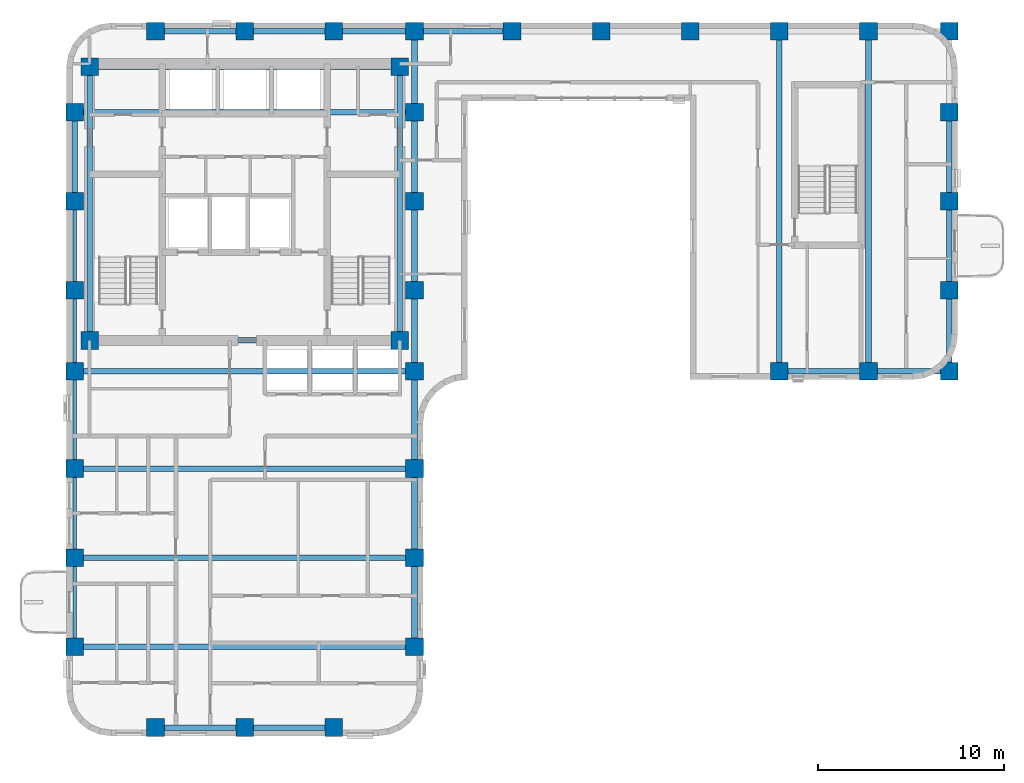
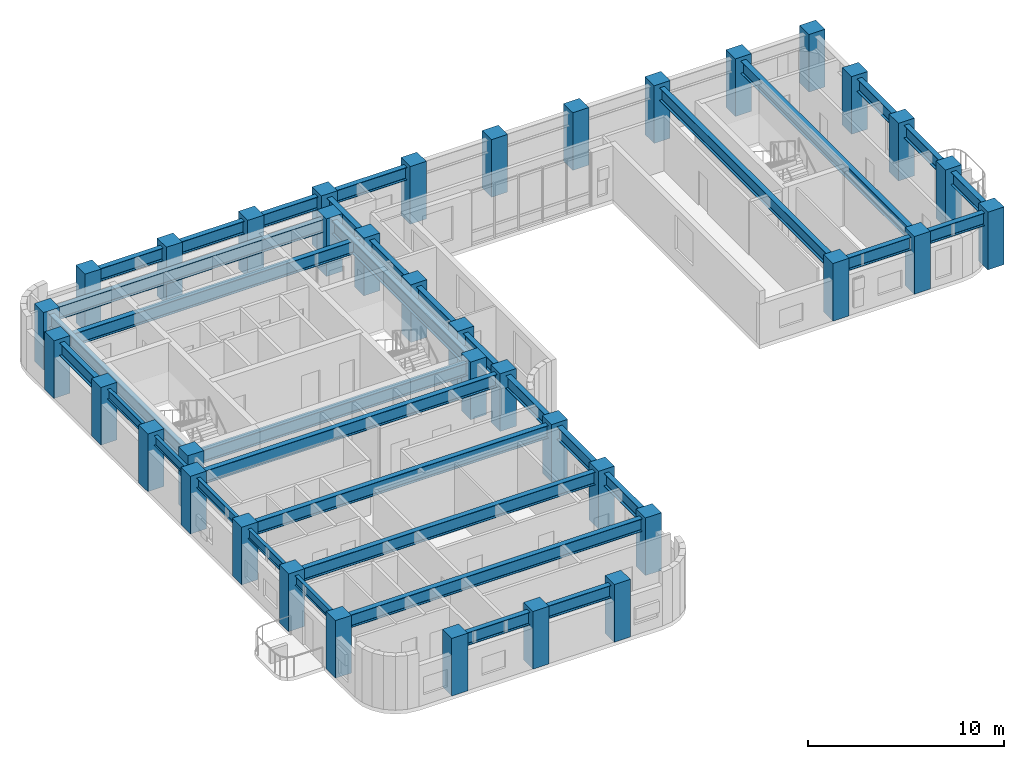
# One storey, part 1 of 11: 37 columns, 35 beams.
"""IFC4 building model written with IfcOpenShell, lengths in metres."""

from ifc_helpers import new_model, si_unit, direction, frame, origin, origin_2d, place, context, subcontext, project, spatial, rectangle, i_section, extrude, material, material_profile, profile_set, type_object, element, save


model = new_model("IFC4")

# Units and contexts
model_context = context("Model", 3, precision=1e-05, world=origin(), true_north=direction((0.0, 1.0)))
body_context = subcontext(model_context, "Body", "Model", "MODEL_VIEW")
ifc_project = project(units=[si_unit("LENGTHUNIT", "METRE"), si_unit("AREAUNIT", "SQUARE_METRE"), si_unit("VOLUMEUNIT", "CUBIC_METRE"), si_unit("PLANEANGLEUNIT", "RADIAN"), si_unit("MASSUNIT", "GRAM", prefix="KILO")], contexts=[model_context])

# Site, building, storey
site_placement = place(None, origin())
site = spatial("IfcSite", under=ifc_project, at=site_placement, CompositionType="ELEMENT")
building_placement = place(site_placement, origin())
building = spatial("IfcBuilding", under=site, at=building_placement, Name="Orvandelia Arch Residences", CompositionType="ELEMENT")
storey_placement = place(building_placement, frame((0.0, 0.0, 175.60009765625)))
storey = spatial("IfcBuildingStorey", under=building, at=storey_placement, Name="L46", CompositionType="ELEMENT", Elevation=175.60009765625)

# Columns
ifc_material_1 = material(Name="Concrete C60/75", Category="concrete")
ifc_material_profile_1 = material_profile(ifc_material_1, rectangle(XDim=0.949951171875, YDim=0.949951171875, at=origin_2d()), Name="Concrete C60/75", Category="concrete")
ifc_profile_set_1 = profile_set([ifc_material_profile_1], Name="Concrete C60/75")
column_type = type_object("IfcColumnType", Name="COL-TWR-950", PredefinedType="COLUMN", material=ifc_profile_set_1)
for number, where, z_axis, x_axis, name in (
    (1, (5.25, 14.39990234375, 0.0), (0.0, 0.0, 1.0), (1.0, 0.0, 0.0), "Structural Column L46-W-W-144"),
    (2, (5.25, 19.199951171875, 0.0), (0.0, 0.0, 1.0), (1.0, 0.0, 0.0), "Structural Column L46-W-W-192"),
    (3, (5.25, 24.0, 0.0), (0.0, 0.0, 1.0), (1.0, 0.0, 0.0), "Structural Column L46-W-W-240"),
    (4, (5.25, 29.25, 0.0), (0.0, 0.0, 1.0), (1.0, 0.0, 0.0), "Structural Column L46-W-W-292"),
    (5, (5.25, 33.60009765625, 0.0), (0.0, 0.0, 1.0), (1.0, 0.0, 0.0), "Structural Column L46-W-W-336"),
    (6, (5.25, 38.39990234375, 0.0), (0.0, 0.0, 1.0), (1.0, 0.0, 0.0), "Structural Column L46-W-W-384"),
    (7, (5.25, 43.199951171875, 0.0), (0.0, 0.0, 1.0), (1.0, 0.0, 0.0), "Structural Column L46-W-W-432"),
    (8, (6.050048828125, 30.89990234375, 0.0), (0.0, 0.0, 1.0), (1.0, 0.0, 0.0), "Structural Column L46-CR-SW"),
    (9, (6.050048828125, 45.64990234375, 0.0), (0.0, 0.0, 1.0), (1.0, 0.0, 0.0), "Structural Column L46-CR-NW"),
    (10, (9.60009765625, 10.050048828125, 0.0), (0.0, 0.0, 1.0), (1.0, 0.0, 0.0), "Structural Column L46-W-S-96"),
    (11, (9.60009765625, 47.550048828125, 0.0), (0.0, 0.0, 1.0), (1.0, 0.0, 0.0), "Structural Column L46-W-N-96"),
    (12, (14.39990234375, 10.050048828125, 0.0), (0.0, 0.0, 1.0), (1.0, 0.0, 0.0), "Structural Column L46-W-S-144"),
    (13, (14.39990234375, 47.550048828125, 0.0), (0.0, 0.0, 1.0), (1.0, 0.0, 0.0), "Structural Column L46-W-N-144"),
    (14, (19.199951171875, 10.050048828125, 0.0), (0.0, 0.0, 1.0), (1.0, 0.0, 0.0), "Structural Column L46-W-S-192"),
    (15, (19.199951171875, 47.550048828125, 0.0), (0.0, 0.0, 1.0), (1.0, 0.0, 0.0), "Structural Column L46-W-N-192"),
    (16, (22.75, 30.89990234375, 0.0), (0.0, 0.0, 1.0), (1.0, 0.0, 0.0), "Structural Column L46-CR-SE"),
    (17, (22.75, 45.64990234375, 0.0), (0.0, 0.0, 1.0), (1.0, 0.0, 0.0), "Structural Column L46-CR-NE"),
    (18, (23.550048828125, 14.39990234375, 0.0), (0.0, 0.0, 1.0), (1.0, 0.0, 0.0), "Structural Column L46-W-E-144"),
    (19, (23.550048828125, 19.199951171875, 0.0), (0.0, 0.0, 1.0), (1.0, 0.0, 0.0), "Structural Column L46-W-E-192"),
    (20, (23.550048828125, 24.0, 0.0), (0.0, 0.0, 1.0), (1.0, 0.0, 0.0), "Structural Column L46-W-E-240"),
    (21, (23.550048828125, 29.25, 0.0), (0.0, 0.0, 1.0), (1.0, 0.0, 0.0), "Structural Column L46-W-E-292"),
    (22, (23.550048828125, 33.60009765625, 0.0), (0.0, 0.0, 1.0), (1.0, 0.0, 0.0), "Structural Column L46-W-E-336"),
    (23, (23.550048828125, 38.39990234375, 0.0), (0.0, 0.0, 1.0), (1.0, 0.0, 0.0), "Structural Column L46-W-E-384"),
    (24, (23.550048828125, 43.199951171875, 0.0), (0.0, 0.0, 1.0), (1.0, 0.0, 0.0), "Structural Column L46-W-E-432"),
    (25, (23.550048828125, 47.550048828125, 0.0), (0.0, 0.0, 1.0), (1.0, 0.0, 0.0), "Structural Column L46-W-N-235"),
    (26, (28.800048828125, 47.550048828125, 0.0), (0.0, 0.0, 1.0), (1.0, 0.0, 0.0), "Structural Column L46-E-N-288"),
    (27, (33.60009765625, 47.550048828125, 0.0), (0.0, 0.0, 1.0), (1.0, 0.0, 0.0), "Structural Column L46-E-N-336"),
    (28, (38.39990234375, 47.550048828125, 0.0), (0.0, 0.0, 1.0), (1.0, 0.0, 0.0), "Structural Column L46-E-N-384"),
    (29, (43.199951171875, 29.25, 0.0), (0.0, 0.0, 1.0), (1.0, 0.0, 0.0), "Structural Column L46-E-S-432"),
    (30, (43.199951171875, 47.550048828125, 0.0), (0.0, 0.0, 1.0), (1.0, 0.0, 0.0), "Structural Column L46-E-N-432"),
    (31, (48.0, 29.25, 0.0), (0.0, 0.0, 1.0), (1.0, 0.0, 0.0), "Structural Column L46-E-S-480"),
    (32, (48.0, 47.550048828125, 0.0), (0.0, 0.0, 1.0), (1.0, 0.0, 0.0), "Structural Column L46-E-N-480"),
    (33, (52.35009765625, 29.25, 0.0), (0.0, 0.0, 1.0), (1.0, 0.0, 0.0), "Structural Column L46-E-S-523"),
    (34, (52.35009765625, 33.60009765625, 0.0), (0.0, 0.0, 1.0), (1.0, 0.0, 0.0), "Structural Column L46-E-523-336"),
    (35, (52.35009765625, 38.39990234375, 0.0), (0.0, 0.0, 1.0), (1.0, 0.0, 0.0), "Structural Column L46-E-523-384"),
    (36, (52.35009765625, 43.199951171875, 0.0), (0.0, 0.0, 1.0), (1.0, 0.0, 0.0), "Structural Column L46-E-523-432"),
    (37, (52.35009765625, 47.550048828125, 0.0), (0.0, 0.0, 1.0), (1.0, 0.0, 0.0), "Structural Column L46-E-N-523"),
):
    element("IfcColumn", number, at=place(storey_placement, frame(where, z_axis=z_axis, x_axis=x_axis)), inside=storey, type_object=column_type, Name=name, PredefinedType="COLUMN", context=body_context, shape_type="SweptSolid", body=[
        extrude(rectangle(XDim=0.949951171875, YDim=0.949951171875, at=origin_2d()), origin(), (0.0, 0.0, 1.0), 3.599853515625),
    ])

# Beams
ifc_material_2 = material(Name="Structural Steel SM355 (355 MPa)", Category="steel")
ifc_material_profile_2 = material_profile(ifc_material_2, i_section(OverallWidth=0.300048828125, OverallDepth=0.800048828125, WebThickness=0.013916015625, FlangeThickness=0.02587890625, FilletRadius=0.02587890625, at=origin_2d()), Name="Structural Steel SM355 (355 MPa)", Category="steel")
ifc_profile_set_2 = profile_set([ifc_material_profile_2], Name="Structural Steel SM355 (355 MPa)")
beam_type_1 = type_object("IfcBeamType", Name="BM-GRD-H800", PredefinedType="BEAM", material=ifc_profile_set_2)
beam_1_placement = place(storey_placement, frame((5.25, 38.39990234375, 2.9599609375), z_axis=(0.0, 1.0, 0.0), x_axis=(-1.0, 0.0, 0.0)))
element("IfcBeam", 38, at=beam_1_placement, inside=storey, type_object=beam_type_1, Name="Structural Frame Beam L46-NS-006", PredefinedType="BEAM", context=body_context, shape_type="SweptSolid", body=[
    extrude(i_section(OverallWidth=0.300048828125, OverallDepth=0.800048828125, WebThickness=0.013916015625, FlangeThickness=0.02587890625, FilletRadius=0.02587890625, at=origin_2d()), origin(), (0.0, 0.0, 1.0), 4.800048828125),
])
for number, where, z_axis, x_axis, name in (
    (39, (6.050048828125, 30.89990234375, 2.9599609375), (0.0, 1.0, 0.0), (-1.0, 0.0, 0.0), "Structural Frame Beam L46-NS-007"),
    (40, (22.75, 30.89990234375, 2.9599609375), (0.0, 1.0, 0.0), (-1.0, 0.0, 0.0), "Structural Frame Beam L46-NS-008"),
):
    element("IfcBeam", number, at=place(storey_placement, frame(where, z_axis=z_axis, x_axis=x_axis)), inside=storey, type_object=beam_type_1, Name=name, PredefinedType="BEAM", context=body_context, shape_type="SweptSolid", body=[
        extrude(i_section(OverallWidth=0.300048828125, OverallDepth=0.800048828125, WebThickness=0.013916015625, FlangeThickness=0.02587890625, FilletRadius=0.02587890625, at=origin_2d()), origin(), (0.0, 0.0, 1.0), 14.75),
    ])
for number, where, z_axis, x_axis, name in (
    (41, (23.550048828125, 14.39990234375, 2.9599609375), (0.0, 1.0, 0.0), (-1.0, 0.0, 0.0), "Structural Frame Beam L46-NS-009"),
    (42, (23.550048828125, 19.199951171875, 2.9599609375), (0.0, 1.0, 0.0), (-1.0, 0.0, 0.0), "Structural Frame Beam L46-NS-010"),
):
    element("IfcBeam", number, at=place(storey_placement, frame(where, z_axis=z_axis, x_axis=x_axis)), inside=storey, type_object=beam_type_1, Name=name, PredefinedType="BEAM", context=body_context, shape_type="SweptSolid", body=[
        extrude(i_section(OverallWidth=0.300048828125, OverallDepth=0.800048828125, WebThickness=0.013916015625, FlangeThickness=0.02587890625, FilletRadius=0.02587890625, at=origin_2d()), origin(), (0.0, 0.0, 1.0), 4.800048828125),
    ])
beam_2_placement = place(storey_placement, frame((23.550048828125, 24.0, 2.9599609375), z_axis=(0.0, 1.0, 0.0), x_axis=(-1.0, 0.0, 0.0)))
element("IfcBeam", 43, at=beam_2_placement, inside=storey, type_object=beam_type_1, Name="Structural Frame Beam L46-NS-011", PredefinedType="BEAM", context=body_context, shape_type="SweptSolid", body=[
    extrude(i_section(OverallWidth=0.300048828125, OverallDepth=0.800048828125, WebThickness=0.013916015625, FlangeThickness=0.02587890625, FilletRadius=0.02587890625, at=origin_2d()), origin(), (0.0, 0.0, 1.0), 5.25),
])
beam_3_placement = place(storey_placement, frame((23.550048828125, 29.25, 2.9599609375), z_axis=(0.0, 1.0, 0.0), x_axis=(-1.0, 0.0, 0.0)))
element("IfcBeam", 44, at=beam_3_placement, inside=storey, type_object=beam_type_1, Name="Structural Frame Beam L46-NS-012", PredefinedType="BEAM", context=body_context, shape_type="SweptSolid", body=[
    extrude(i_section(OverallWidth=0.300048828125, OverallDepth=0.800048828125, WebThickness=0.013916015625, FlangeThickness=0.02587890625, FilletRadius=0.02587890625, at=origin_2d()), origin(), (0.0, 0.0, 1.0), 4.35009765625),
])
beam_4_placement = place(storey_placement, frame((23.550048828125, 33.60009765625, 2.9599609375), z_axis=(0.0, 1.0, 0.0), x_axis=(-1.0, 0.0, 0.0)))
element("IfcBeam", 45, at=beam_4_placement, inside=storey, type_object=beam_type_1, Name="Structural Frame Beam L46-NS-013", PredefinedType="BEAM", context=body_context, shape_type="SweptSolid", body=[
    extrude(i_section(OverallWidth=0.300048828125, OverallDepth=0.800048828125, WebThickness=0.013916015625, FlangeThickness=0.02587890625, FilletRadius=0.02587890625, at=origin_2d()), origin(), (0.0, 0.0, 1.0), 4.7998046875),
])
beam_5_placement = place(storey_placement, frame((23.550048828125, 38.39990234375, 2.9599609375), z_axis=(0.0, 1.0, 0.0), x_axis=(-1.0, 0.0, 0.0)))
element("IfcBeam", 46, at=beam_5_placement, inside=storey, type_object=beam_type_1, Name="Structural Frame Beam L46-NS-014", PredefinedType="BEAM", context=body_context, shape_type="SweptSolid", body=[
    extrude(i_section(OverallWidth=0.300048828125, OverallDepth=0.800048828125, WebThickness=0.013916015625, FlangeThickness=0.02587890625, FilletRadius=0.02587890625, at=origin_2d()), origin(), (0.0, 0.0, 1.0), 4.800048828125),
])
beam_6_placement = place(storey_placement, frame((23.550048828125, 43.199951171875, 2.9599609375), z_axis=(0.0, 1.0, 0.0), x_axis=(-1.0, 0.0, 0.0)))
element("IfcBeam", 47, at=beam_6_placement, inside=storey, type_object=beam_type_1, Name="Structural Frame Beam L46-NS-015", PredefinedType="BEAM", context=body_context, shape_type="SweptSolid", body=[
    extrude(i_section(OverallWidth=0.300048828125, OverallDepth=0.800048828125, WebThickness=0.013916015625, FlangeThickness=0.02587890625, FilletRadius=0.02587890625, at=origin_2d()), origin(), (0.0, 0.0, 1.0), 4.35009765625),
])
for number, where, z_axis, x_axis, name in (
    (48, (43.199951171875, 29.25, 2.9599609375), (0.0, 1.0, 0.0), (-1.0, 0.0, 0.0), "Structural Frame Beam L46-NS-016"),
    (49, (48.0, 29.25, 2.9599609375), (0.0, 1.0, 0.0), (-1.0, 0.0, 0.0), "Structural Frame Beam L46-NS-017"),
):
    element("IfcBeam", number, at=place(storey_placement, frame(where, z_axis=z_axis, x_axis=x_axis)), inside=storey, type_object=beam_type_1, Name=name, PredefinedType="BEAM", context=body_context, shape_type="SweptSolid", body=[
        extrude(i_section(OverallWidth=0.300048828125, OverallDepth=0.800048828125, WebThickness=0.013916015625, FlangeThickness=0.02587890625, FilletRadius=0.02587890625, at=origin_2d()), origin(), (0.0, 0.0, 1.0), 18.300048828125),
    ])
beam_7_placement = place(storey_placement, frame((52.35009765625, 29.25, 2.9599609375), z_axis=(0.0, 1.0, 0.0), x_axis=(-1.0, 0.0, 0.0)))
element("IfcBeam", 50, at=beam_7_placement, inside=storey, type_object=beam_type_1, Name="Structural Frame Beam L46-NS-018", PredefinedType="BEAM", context=body_context, shape_type="SweptSolid", body=[
    extrude(i_section(OverallWidth=0.300048828125, OverallDepth=0.800048828125, WebThickness=0.013916015625, FlangeThickness=0.02587890625, FilletRadius=0.02587890625, at=origin_2d()), origin(), (0.0, 0.0, 1.0), 4.35009765625),
])
beam_8_placement = place(storey_placement, frame((52.35009765625, 33.60009765625, 2.9599609375), z_axis=(0.0, 1.0, 0.0), x_axis=(-1.0, 0.0, 0.0)))
element("IfcBeam", 51, at=beam_8_placement, inside=storey, type_object=beam_type_1, Name="Structural Frame Beam L46-NS-019", PredefinedType="BEAM", context=body_context, shape_type="SweptSolid", body=[
    extrude(i_section(OverallWidth=0.300048828125, OverallDepth=0.800048828125, WebThickness=0.013916015625, FlangeThickness=0.02587890625, FilletRadius=0.02587890625, at=origin_2d()), origin(), (0.0, 0.0, 1.0), 4.7998046875),
])
beam_9_placement = place(storey_placement, frame((52.35009765625, 38.39990234375, 2.9599609375), z_axis=(0.0, 1.0, 0.0), x_axis=(-1.0, 0.0, 0.0)))
element("IfcBeam", 52, at=beam_9_placement, inside=storey, type_object=beam_type_1, Name="Structural Frame Beam L46-NS-020", PredefinedType="BEAM", context=body_context, shape_type="SweptSolid", body=[
    extrude(i_section(OverallWidth=0.300048828125, OverallDepth=0.800048828125, WebThickness=0.013916015625, FlangeThickness=0.02587890625, FilletRadius=0.02587890625, at=origin_2d()), origin(), (0.0, 0.0, 1.0), 4.800048828125),
])
beam_10_placement = place(storey_placement, frame((9.60009765625, 10.050048828125, 2.9599609375), z_axis=(1.0, 0.0, 0.0), x_axis=(0.0, 1.0, 0.0)))
element("IfcBeam", 53, at=beam_10_placement, inside=storey, type_object=beam_type_1, Name="Structural Frame Girder L46-EW-022", PredefinedType="BEAM", context=body_context, shape_type="SweptSolid", body=[
    extrude(i_section(OverallWidth=0.300048828125, OverallDepth=0.800048828125, WebThickness=0.013916015625, FlangeThickness=0.02587890625, FilletRadius=0.02587890625, at=origin_2d()), origin(), (0.0, 0.0, 1.0), 4.7998046875),
])
beam_11_placement = place(storey_placement, frame((14.39990234375, 10.050048828125, 2.9599609375), z_axis=(1.0, 0.0, 0.0), x_axis=(0.0, 1.0, 0.0)))
element("IfcBeam", 54, at=beam_11_placement, inside=storey, type_object=beam_type_1, Name="Structural Frame Girder L46-EW-023", PredefinedType="BEAM", context=body_context, shape_type="SweptSolid", body=[
    extrude(i_section(OverallWidth=0.300048828125, OverallDepth=0.800048828125, WebThickness=0.013916015625, FlangeThickness=0.02587890625, FilletRadius=0.02587890625, at=origin_2d()), origin(), (0.0, 0.0, 1.0), 4.800048828125),
])
for number, where, z_axis, x_axis, name in (
    (55, (5.25, 14.39990234375, 2.9599609375), (1.0, 0.0, 0.0), (0.0, 1.0, 0.0), "Structural Frame Girder L46-EW-024"),
    (56, (5.25, 19.199951171875, 2.9599609375), (1.0, 0.0, 0.0), (0.0, 1.0, 0.0), "Structural Frame Girder L46-EW-025"),
    (57, (5.25, 24.0, 2.9599609375), (1.0, 0.0, 0.0), (0.0, 1.0, 0.0), "Structural Frame Girder L46-EW-026"),
    (58, (5.25, 29.25, 2.9599609375), (1.0, 0.0, 0.0), (0.0, 1.0, 0.0), "Structural Frame Girder L46-EW-027"),
):
    element("IfcBeam", number, at=place(storey_placement, frame(where, z_axis=z_axis, x_axis=x_axis)), inside=storey, type_object=beam_type_1, Name=name, PredefinedType="BEAM", context=body_context, shape_type="SweptSolid", body=[
        extrude(i_section(OverallWidth=0.300048828125, OverallDepth=0.800048828125, WebThickness=0.013916015625, FlangeThickness=0.02587890625, FilletRadius=0.02587890625, at=origin_2d()), origin(), (0.0, 0.0, 1.0), 18.300048828125),
    ])
beam_12_placement = place(storey_placement, frame((43.199951171875, 29.25, 2.9599609375), z_axis=(1.0, 0.0, 0.0), x_axis=(0.0, 1.0, 0.0)))
element("IfcBeam", 59, at=beam_12_placement, inside=storey, type_object=beam_type_1, Name="Structural Frame Girder L46-EW-028", PredefinedType="BEAM", context=body_context, shape_type="SweptSolid", body=[
    extrude(i_section(OverallWidth=0.300048828125, OverallDepth=0.800048828125, WebThickness=0.013916015625, FlangeThickness=0.02587890625, FilletRadius=0.02587890625, at=origin_2d()), origin(), (0.0, 0.0, 1.0), 4.800048828125),
])
beam_13_placement = place(storey_placement, frame((48.0, 29.25, 2.9599609375), z_axis=(1.0, 0.0, 0.0), x_axis=(0.0, 1.0, 0.0)))
element("IfcBeam", 60, at=beam_13_placement, inside=storey, type_object=beam_type_1, Name="Structural Frame Girder L46-EW-029", PredefinedType="BEAM", context=body_context, shape_type="SweptSolid", body=[
    extrude(i_section(OverallWidth=0.300048828125, OverallDepth=0.800048828125, WebThickness=0.013916015625, FlangeThickness=0.02587890625, FilletRadius=0.02587890625, at=origin_2d()), origin(), (0.0, 0.0, 1.0), 4.35009765625),
])
beam_14_placement = place(storey_placement, frame((6.050048828125, 30.89990234375, 2.9599609375), z_axis=(1.0, 0.0, 0.0), x_axis=(0.0, 1.0, 0.0)))
element("IfcBeam", 61, at=beam_14_placement, inside=storey, type_object=beam_type_1, Name="Structural Frame Girder L46-EW-030", PredefinedType="BEAM", context=body_context, shape_type="SweptSolid", body=[
    extrude(i_section(OverallWidth=0.300048828125, OverallDepth=0.800048828125, WebThickness=0.013916015625, FlangeThickness=0.02587890625, FilletRadius=0.02587890625, at=origin_2d()), origin(), (0.0, 0.0, 1.0), 16.699951171875),
])
beam_15_placement = place(storey_placement, frame((5.25, 43.199951171875, 2.9599609375), z_axis=(1.0, 0.0, 0.0), x_axis=(0.0, 1.0, 0.0)))
element("IfcBeam", 62, at=beam_15_placement, inside=storey, type_object=beam_type_1, Name="Structural Frame Girder L46-EW-033", PredefinedType="BEAM", context=body_context, shape_type="SweptSolid", body=[
    extrude(i_section(OverallWidth=0.300048828125, OverallDepth=0.800048828125, WebThickness=0.013916015625, FlangeThickness=0.02587890625, FilletRadius=0.02587890625, at=origin_2d()), origin(), (0.0, 0.0, 1.0), 18.300048828125),
])
beam_16_placement = place(storey_placement, frame((6.050048828125, 45.64990234375, 2.9599609375), z_axis=(1.0, 0.0, 0.0), x_axis=(0.0, 1.0, 0.0)))
element("IfcBeam", 63, at=beam_16_placement, inside=storey, type_object=beam_type_1, Name="Structural Frame Girder L46-EW-034", PredefinedType="BEAM", context=body_context, shape_type="SweptSolid", body=[
    extrude(i_section(OverallWidth=0.300048828125, OverallDepth=0.800048828125, WebThickness=0.013916015625, FlangeThickness=0.02587890625, FilletRadius=0.02587890625, at=origin_2d()), origin(), (0.0, 0.0, 1.0), 16.699951171875),
])
beam_17_placement = place(storey_placement, frame((9.60009765625, 47.550048828125, 2.9599609375), z_axis=(1.0, 0.0, 0.0), x_axis=(0.0, 1.0, 0.0)))
element("IfcBeam", 64, at=beam_17_placement, inside=storey, type_object=beam_type_1, Name="Structural Frame Girder L46-EW-035", PredefinedType="BEAM", context=body_context, shape_type="SweptSolid", body=[
    extrude(i_section(OverallWidth=0.300048828125, OverallDepth=0.800048828125, WebThickness=0.013916015625, FlangeThickness=0.02587890625, FilletRadius=0.02587890625, at=origin_2d()), origin(), (0.0, 0.0, 1.0), 4.7998046875),
])
beam_18_placement = place(storey_placement, frame((14.39990234375, 47.550048828125, 2.9599609375), z_axis=(1.0, 0.0, 0.0), x_axis=(0.0, 1.0, 0.0)))
element("IfcBeam", 65, at=beam_18_placement, inside=storey, type_object=beam_type_1, Name="Structural Frame Girder L46-EW-036", PredefinedType="BEAM", context=body_context, shape_type="SweptSolid", body=[
    extrude(i_section(OverallWidth=0.300048828125, OverallDepth=0.800048828125, WebThickness=0.013916015625, FlangeThickness=0.02587890625, FilletRadius=0.02587890625, at=origin_2d()), origin(), (0.0, 0.0, 1.0), 4.800048828125),
])
beam_19_placement = place(storey_placement, frame((19.199951171875, 47.550048828125, 2.9599609375), z_axis=(1.0, 0.0, 0.0), x_axis=(0.0, 1.0, 0.0)))
element("IfcBeam", 66, at=beam_19_placement, inside=storey, type_object=beam_type_1, Name="Structural Frame Girder L46-EW-037", PredefinedType="BEAM", context=body_context, shape_type="SweptSolid", body=[
    extrude(i_section(OverallWidth=0.300048828125, OverallDepth=0.800048828125, WebThickness=0.013916015625, FlangeThickness=0.02587890625, FilletRadius=0.02587890625, at=origin_2d()), origin(), (0.0, 0.0, 1.0), 4.35009765625),
])
beam_20_placement = place(storey_placement, frame((23.550048828125, 47.550048828125, 2.9599609375), z_axis=(1.0, 0.0, 0.0), x_axis=(0.0, 1.0, 0.0)))
element("IfcBeam", 67, at=beam_20_placement, inside=storey, type_object=beam_type_1, Name="Structural Frame Girder L46-EW-038", PredefinedType="BEAM", context=body_context, shape_type="SweptSolid", body=[
    extrude(i_section(OverallWidth=0.300048828125, OverallDepth=0.800048828125, WebThickness=0.013916015625, FlangeThickness=0.02587890625, FilletRadius=0.02587890625, at=origin_2d()), origin(), (0.0, 0.0, 1.0), 5.25),
])
ifc_material_profile_3 = material_profile(ifc_material_2, i_section(OverallWidth=0.199951171875, OverallDepth=0.60009765625, WebThickness=0.010986328125, FlangeThickness=0.01708984375, FilletRadius=0.02197265625, at=origin_2d()), Name="Structural Steel SM355 (355 MPa)", Category="steel")
ifc_profile_set_3 = profile_set([ifc_material_profile_3], Name="Structural Steel SM355 (355 MPa)")
beam_type_2 = type_object("IfcBeamType", Name="BM-SPN-H600", PredefinedType="SPANDREL", material=ifc_profile_set_3)
for number, where, z_axis, x_axis, name in (
    (68, (5.25, 14.39990234375, 3.059814453125), (0.0, 1.0, 0.0), (-1.0, 0.0, 0.0), "Structural Frame Beam L46-NS-001"),
    (69, (5.25, 19.199951171875, 3.059814453125), (0.0, 1.0, 0.0), (-1.0, 0.0, 0.0), "Structural Frame Beam L46-NS-002"),
):
    element("IfcBeam", number, at=place(storey_placement, frame(where, z_axis=z_axis, x_axis=x_axis)), inside=storey, type_object=beam_type_2, Name=name, PredefinedType="SPANDREL", context=body_context, shape_type="SweptSolid", body=[
        extrude(i_section(OverallWidth=0.199951171875, OverallDepth=0.60009765625, WebThickness=0.010986328125, FlangeThickness=0.01708984375, FilletRadius=0.02197265625, at=origin_2d()), origin(), (0.0, 0.0, 1.0), 4.800048828125),
    ])
beam_21_placement = place(storey_placement, frame((5.25, 24.0, 3.059814453125), z_axis=(0.0, 1.0, 0.0), x_axis=(-1.0, 0.0, 0.0)))
element("IfcBeam", 70, at=beam_21_placement, inside=storey, type_object=beam_type_2, Name="Structural Frame Beam L46-NS-003", PredefinedType="SPANDREL", context=body_context, shape_type="SweptSolid", body=[
    extrude(i_section(OverallWidth=0.199951171875, OverallDepth=0.60009765625, WebThickness=0.010986328125, FlangeThickness=0.01708984375, FilletRadius=0.02197265625, at=origin_2d()), origin(), (0.0, 0.0, 1.0), 5.25),
])
beam_22_placement = place(storey_placement, frame((5.25, 29.25, 3.059814453125), z_axis=(0.0, 1.0, 0.0), x_axis=(-1.0, 0.0, 0.0)))
element("IfcBeam", 71, at=beam_22_placement, inside=storey, type_object=beam_type_2, Name="Structural Frame Beam L46-NS-004", PredefinedType="SPANDREL", context=body_context, shape_type="SweptSolid", body=[
    extrude(i_section(OverallWidth=0.199951171875, OverallDepth=0.60009765625, WebThickness=0.010986328125, FlangeThickness=0.01708984375, FilletRadius=0.02197265625, at=origin_2d()), origin(), (0.0, 0.0, 1.0), 4.35009765625),
])
beam_23_placement = place(storey_placement, frame((5.25, 33.60009765625, 3.059814453125), z_axis=(0.0, 1.0, 0.0), x_axis=(-1.0, 0.0, 0.0)))
element("IfcBeam", 72, at=beam_23_placement, inside=storey, type_object=beam_type_2, Name="Structural Frame Beam L46-NS-005", PredefinedType="SPANDREL", context=body_context, shape_type="SweptSolid", body=[
    extrude(i_section(OverallWidth=0.199951171875, OverallDepth=0.60009765625, WebThickness=0.010986328125, FlangeThickness=0.01708984375, FilletRadius=0.02197265625, at=origin_2d()), origin(), (0.0, 0.0, 1.0), 4.7998046875),
])

save(model, "model.ifc")
